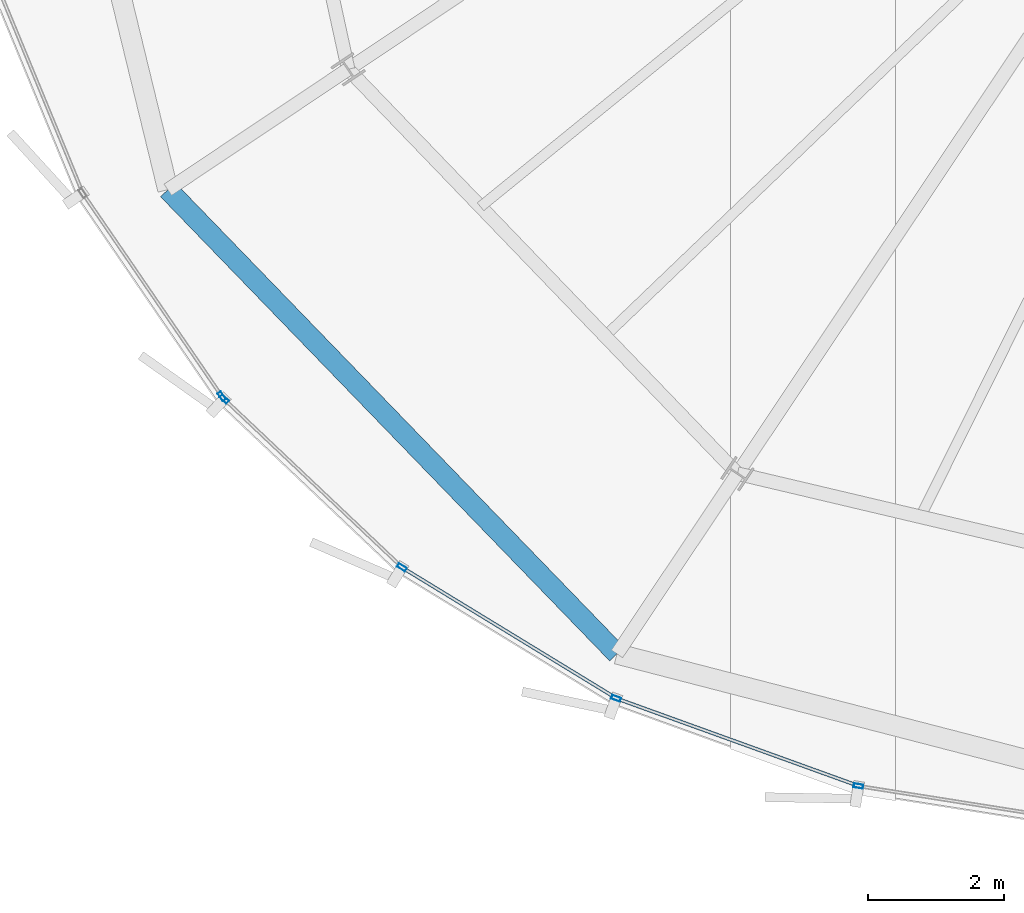
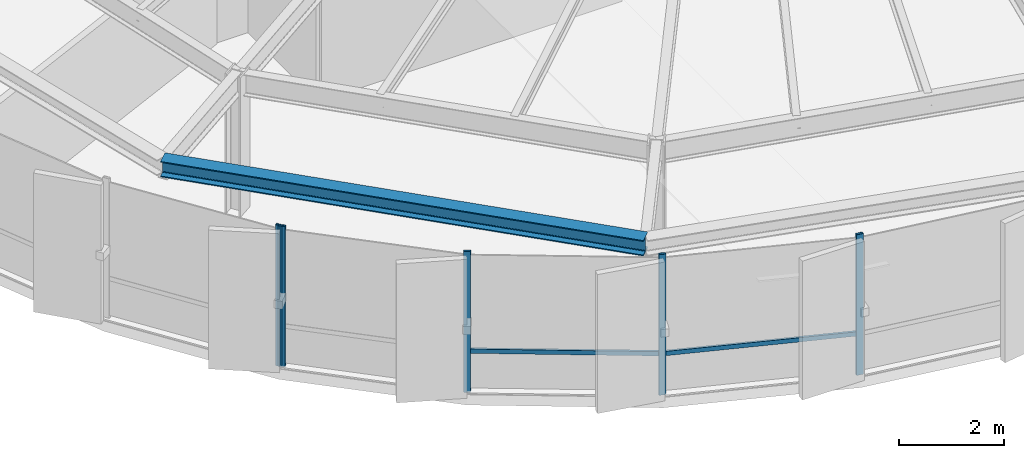
# One storey, part 2 of 36: 7 members, 1 beam, 2 elements without a shape of their own.
"""IFC4 building model written with IfcOpenShell, lengths in metres."""

import ifcopenshell
import ifcopenshell.guid

model = None  # the IFC model being written
_history = None  # IfcOwnerHistory: only IFC2X3 demands one
_inside = {}  # id of a spatial element -> (the spatial element, [elements in it])
_under = {}  # id of a project, library or spatial element -> (it, [spatial elements below it])
_declared = {}  # id of a project -> (the project, [libraries it declares])
_typed = {}  # id of a type object -> (the type object, [elements of that type])
_made_of = {}  # id of a material, layer set ... -> (it, [elements and type objects made of it])


def new_model(schema):
    """Start an empty IFC model of exactly this schema.

    Asked for "IFC4X3", IfcOpenShell would pick the latest addendum, in which some entities
    have other attributes; the version numbers below select the first issue.
    IFC2X3 requires an IfcOwnerHistory on every rooted entity: one is made here for all.
    """
    global model, _history
    if schema == "IFC4X3":
        model = ifcopenshell.file(schema_version=(4, 3, 0, 0))
    else:
        model = ifcopenshell.file(schema=schema)
    _inside.clear()
    _under.clear()
    _declared.clear()
    _typed.clear()
    _made_of.clear()
    _history = None
    if model.schema == "IFC2X3":
        org = make("IfcOrganization", Name="unknown")
        user = make(
            "IfcPersonAndOrganization",
            ThePerson=make("IfcPerson", FamilyName="unknown"),
            TheOrganization=org,
        )
        app = make(
            "IfcApplication",
            ApplicationDeveloper=org,
            Version="unknown",
            ApplicationFullName="unknown",
            ApplicationIdentifier="unknown",
        )
        _history = make(
            "IfcOwnerHistory",
            OwningUser=user,
            OwningApplication=app,
            ChangeAction="ADDED",
            CreationDate=0,
        )
    return model


def make(cls, **values):
    """One entity of the class cls with the attributes given. An attribute that is None is left unset."""
    return model.create_entity(
        cls, **{name: value for name, value in values.items() if value is not None}
    )


def rooted(cls, **values):
    """An entity with a GlobalId (a new one), such as an element, a storey or a relation."""
    return make(cls, GlobalId=ifcopenshell.guid.new(), OwnerHistory=_history, **values)


def si_unit(unit_type, name, prefix=None):
    """IfcSIUnit, for example si_unit("LENGTHUNIT", "METRE", prefix="MILLI")."""
    return make("IfcSIUnit", UnitType=unit_type, Prefix=prefix, Name=name)


def assignment(units):
    """IfcUnitAssignment: the units of a project."""
    return None if units is None else make("IfcUnitAssignment", Units=units)


def point(xyz):
    """IfcCartesianPoint."""
    return None if xyz is None else make("IfcCartesianPoint", Coordinates=xyz)


def direction(xyz):
    """IfcDirection."""
    return None if xyz is None else make("IfcDirection", DirectionRatios=xyz)


def frame(location, z_axis=None, x_axis=None):
    """IfcAxis2Placement3D, a coordinate frame: its origin and axes. An axis left out is left unset."""
    return make(
        "IfcAxis2Placement3D",
        Location=point(location),
        Axis=direction(z_axis),
        RefDirection=direction(x_axis),
    )


def frame_2d(location, x_axis=None):
    """IfcAxis2Placement2D, a coordinate frame in the plane: its origin and x axis."""
    return make(
        "IfcAxis2Placement2D", Location=point(location), RefDirection=direction(x_axis)
    )


def origin():
    """The frame at (0, 0, 0) with its axes left unset."""
    return frame((0.0, 0.0, 0.0))


def origin_2d():
    """The frame at (0, 0) in the plane with its x axis left unset."""
    return frame_2d((0.0, 0.0))


def place(relative_to, where):
    """IfcLocalPlacement: puts the frame where relative to a parent placement (None: the world)."""
    return make(
        "IfcLocalPlacement", PlacementRelTo=relative_to, RelativePlacement=where
    )


def context(
    kind, dimensions, precision=None, world=None, true_north=None, identifier=None
):
    """IfcGeometricRepresentationContext, for example the 3D "Model" context."""
    return make(
        "IfcGeometricRepresentationContext",
        ContextIdentifier=identifier,
        ContextType=kind,
        CoordinateSpaceDimension=dimensions,
        Precision=precision,
        WorldCoordinateSystem=world,
        TrueNorth=true_north,
    )


def subcontext(parent, identifier, kind, view, scale=None):
    """IfcGeometricRepresentationSubContext, for example "Body" below "Model"."""
    return make(
        "IfcGeometricRepresentationSubContext",
        ContextIdentifier=identifier,
        ContextType=kind,
        ParentContext=parent,
        TargetScale=scale,
        TargetView=view,
    )


def project(units=None, contexts=None):
    """IfcProject with its units and contexts."""
    return rooted(
        "IfcProject",
        Name="project",
        RepresentationContexts=contexts,
        UnitsInContext=assignment(units),
    )


def spatial(cls, under=None, at=None, **own):
    """A site, building, storey or space (cls), placed at a placement, below another one or the project."""
    s = rooted(cls, ObjectPlacement=at, **own)
    if under is not None:
        _under.setdefault(under.id(), (under, []))[1].append(s)
    return s


def profile(cls, at=None, kind="AREA", **sizes):
    """A parametric profile (cls). Its sizes go by their IFC names, for example OverallWidth=200.0."""
    return make(cls, ProfileType=kind, Position=at, **sizes)


def hollow_rectangle(**sizes):
    """IfcRectangleHollowProfileDef."""
    return profile("IfcRectangleHollowProfileDef", **sizes)


def i_section(**sizes):
    """IfcIShapeProfileDef."""
    return profile("IfcIShapeProfileDef", **sizes)


def extrude(swept, where, along, depth):
    """IfcExtrudedAreaSolid: the profile swept, set in the frame where, extruded along a direction by depth."""
    return make(
        "IfcExtrudedAreaSolid",
        SweptArea=swept,
        Position=where,
        ExtrudedDirection=direction(along),
        Depth=depth,
    )


def shape(context_of_items, identifier, shape_type, items):
    """IfcShapeRepresentation: the items that make up one representation, for example the "Body"."""
    return make(
        "IfcShapeRepresentation",
        ContextOfItems=context_of_items,
        RepresentationIdentifier=identifier,
        RepresentationType=shape_type,
        Items=items,
    )


def source(mapping_origin, context_of_items, identifier, shape_type, items):
    """IfcRepresentationMap: a shape defined once, which mapped items show again and again."""
    return make(
        "IfcRepresentationMap",
        MappingOrigin=mapping_origin,
        MappedRepresentation=shape(context_of_items, identifier, shape_type, items),
    )


def transform(
    local_origin,
    x_axis=None,
    y_axis=None,
    z_axis=None,
    scale=None,
    scale2=None,
    scale3=None,
    uniform=True,
):
    """IfcCartesianTransformationOperator3D, or its non-uniform kind. x_axis, y_axis, z_axis: its Axis1, 2, 3."""
    if uniform:
        return make(
            "IfcCartesianTransformationOperator3D",
            Axis1=direction(x_axis),
            Axis2=direction(y_axis),
            LocalOrigin=point(local_origin),
            Scale=scale,
            Axis3=direction(z_axis),
        )
    return make(
        "IfcCartesianTransformationOperator3DnonUniform",
        Axis1=direction(x_axis),
        Axis2=direction(y_axis),
        LocalOrigin=point(local_origin),
        Scale=scale,
        Axis3=direction(z_axis),
        Scale2=scale2,
        Scale3=scale3,
    )


def mapped(mapping_source, mapping_target):
    """IfcMappedItem: shows the shape of a source again, moved by a transform."""
    return make(
        "IfcMappedItem", MappingSource=mapping_source, MappingTarget=mapping_target
    )


def material(Name=None, Category=None):
    """IfcMaterial."""
    return make("IfcMaterial", Name=Name, Category=Category)


def layer(
    of_material, thickness, ventilated=None, Name=None, Category=None, Priority=None
):
    """IfcMaterialLayer: one layer of a wall or slab, of a material (None: an air gap)."""
    return make(
        "IfcMaterialLayer",
        Material=of_material,
        LayerThickness=thickness,
        IsVentilated=ventilated,
        Name=Name,
        Category=Category,
        Priority=Priority,
    )


def layer_set(layers, Name=None):
    """IfcMaterialLayerSet."""
    return make("IfcMaterialLayerSet", MaterialLayers=layers, LayerSetName=Name)


def material_profile(
    of_material, cross_section, Name=None, Category=None, Priority=None
):
    """IfcMaterialProfile: a cross section and its material."""
    return make(
        "IfcMaterialProfile",
        Name=Name,
        Material=of_material,
        Profile=cross_section,
        Priority=Priority,
        Category=Category,
    )


def profile_set(profiles, Name=None, composite=None):
    """IfcMaterialProfileSet."""
    return make(
        "IfcMaterialProfileSet",
        Name=Name,
        MaterialProfiles=profiles,
        CompositeProfile=composite,
    )


def made_of(thing, what):
    """Note that an element or type object is made of a material, layer set ...; save() writes the relation."""
    if what is not None:
        _made_of.setdefault(what.id(), (what, []))[1].append(thing)
    return thing


def type_object(cls, material=None, **own):
    """A type object (cls), such as IfcWallType, which elements share."""
    return made_of(rooted(cls, **own), material)


def element(
    cls,
    number,
    at=None,
    inside=None,
    cuts=None,
    type_object=None,
    material=None,
    context=None,
    identifier="Body",
    shape_type=None,
    held_by="IfcProductDefinitionShape",
    body=None,
    shapes=None,
    **own,
):
    """One element of the class cls, such as IfcWall. Its Tag is "e" and its number.

    at: its placement. inside: the storey or other place that contains it. cuts: it is an
    opening in that element (IfcRelVoidsElement). A single representation is given by context,
    identifier, shape_type and body (its items); several are given by shapes. held_by: the class
    of the entity that holds the representations. save() writes the other relations.
    """
    e = rooted(cls, Tag="e%d" % number, ObjectPlacement=at, **own)
    if body is not None:
        shapes = [shape(context, identifier, shape_type, body)]
    if shapes is not None:
        e.Representation = make(held_by, Representations=shapes)
    if inside is not None:
        _inside.setdefault(inside.id(), (inside, []))[1].append(e)
    if cuts is not None:
        rooted(
            "IfcRelVoidsElement", RelatingBuildingElement=cuts, RelatedOpeningElement=e
        )
    if type_object is not None:
        _typed.setdefault(type_object.id(), (type_object, []))[1].append(e)
    return made_of(e, material)


def aggregate(whole, parts):
    """IfcRelAggregates: a whole, such as a stair, and the parts it consists of."""
    return rooted("IfcRelAggregates", RelatingObject=whole, RelatedObjects=parts)


def save(model, path):
    """Write the relations noted so far, then the file.

    IfcRelAggregates (storeys below a building ...), IfcRelContainedInSpatialStructure (elements
    in a storey), IfcRelDefinesByType, IfcRelAssociatesMaterial and IfcRelDeclares: one each for
    every whole, place, type object, material and project.
    """
    for whole, parts in _under.values():
        aggregate(whole, parts)
    for where, things in _inside.values():
        rooted(
            "IfcRelContainedInSpatialStructure",
            RelatedElements=things,
            RelatingStructure=where,
        )
    for kind, things in _typed.values():
        rooted("IfcRelDefinesByType", RelatedObjects=things, RelatingType=kind)
    for what, things in _made_of.values():
        rooted("IfcRelAssociatesMaterial", RelatedObjects=things, RelatingMaterial=what)
    for by, libraries in _declared.values():
        rooted("IfcRelDeclares", RelatingContext=by, RelatedDefinitions=libraries)
    model.write(path)


model = new_model("IFC4")

# Units and contexts
model_context = context("Model", 3, precision=1e-05, world=origin(), true_north=direction((0.0, 1.0)))
body_context = subcontext(model_context, "Body", "Model", "MODEL_VIEW")
ifc_project = project(units=[si_unit("LENGTHUNIT", "METRE"), si_unit("AREAUNIT", "SQUARE_METRE"), si_unit("VOLUMEUNIT", "CUBIC_METRE"), si_unit("PLANEANGLEUNIT", "RADIAN"), si_unit("MASSUNIT", "GRAM", prefix="KILO"), si_unit("THERMODYNAMICTEMPERATUREUNIT", "KELVIN")], contexts=[model_context])

# Site, building, storey
site_placement = place(None, origin())
site = spatial("IfcSite", under=ifc_project, at=site_placement, CompositionType="ELEMENT")
building_placement = place(site_placement, origin())
building = spatial("IfcBuilding", under=site, at=building_placement, Name="Kethvar Cultural Tower", CompositionType="ELEMENT")
storey_placement = place(building_placement, frame((0.0, 0.0, 197.39990234375)))
storey = spatial("IfcBuildingStorey", under=building, at=storey_placement, Name="L51", CompositionType="ELEMENT", Elevation=197.39990234375)

# Beam
ifc_material_1 = material(Name="Steel S355J2", Category="steel")
ifc_material_profile_1 = material_profile(ifc_material_1, i_section(OverallWidth=0.300048828125, OverallDepth=0.360107421875, WebThickness=0.012451171875, FlangeThickness=0.0224609375, FilletRadius=0.027099609375, at=origin_2d()), Name="Steel S355J2 — HEB360")
ifc_profile_set_1 = profile_set([ifc_material_profile_1], Name="Steel S355J2 — HEB360")
beam_type = type_object("IfcBeamType", Name="BM-SP360", PredefinedType="SPANDREL", material=ifc_profile_set_1)
shared_shape_1 = source(origin(), body_context, "Body", "SweptSolid", [
    extrude(i_section(OverallWidth=0.300048828125, OverallDepth=0.360107421875, WebThickness=0.012451171875, FlangeThickness=0.0224609375, FilletRadius=0.027099609375, at=origin_2d()), origin(), (0.0, 0.0, 1.0), 9.531982421875),
])
beam_placement = place(storey_placement, frame((26.556884765625, 14.27392578125, 3.078125), z_axis=(0.695343772208, -0.71867728394, 0.0), x_axis=(0.71867728394, 0.695343772208, 0.0)))
element("IfcBeam", 1, at=beam_placement, inside=storey, type_object=beam_type, Name="L51 Perimeter Spandrel Beam SP-10", PredefinedType="SPANDREL", context=body_context, shape_type="MappedRepresentation", body=[
    mapped(shared_shape_1, transform((0.0, 0.0, 0.0), scale=1.0)),
])

# Curtain wall, member
ifc_material_2 = material(Name="Aluminium 6063-T6", Category="aluminium")
ifc_layer = layer(ifc_material_2, 0.179931640625, Name="Aluminium 6063-T6", Category="aluminium")
ifc_layer_set = layer_set([ifc_layer], Name="Aluminium 6063-T6 (180 mm)")
curtain_wall_type = type_object("IfcCurtainWallType", Name="CW-SYS-04-Z34", PredefinedType="NOTDEFINED", material=ifc_layer_set)
curtain_wall_1_placement = place(storey_placement, origin())
curtain_wall_1 = element("IfcCurtainWall", 2, at=curtain_wall_1_placement, inside=storey, type_object=curtain_wall_type, Name="L51 Curtain Wall Run 03", PredefinedType="NOTDEFINED")
ifc_material_profile_2 = material_profile(ifc_material_2, hollow_rectangle(XDim=0.06005859375, YDim=0.139892578125, WallThickness=0.0048828125, at=origin_2d()), Name="Aluminium 6063-T6 — RHS140x60x5")
ifc_profile_set_2 = profile_set([ifc_material_profile_2], Name="Aluminium 6063-T6 — RHS140x60x5")
member_type_1 = type_object("IfcMemberType", Name="CW-SYS-04-Z34-MUL", PredefinedType="MULLION", material=ifc_profile_set_2)
shared_shape_2 = source(origin(), body_context, "Body", "SweptSolid", [
    extrude(hollow_rectangle(XDim=0.06005859375, YDim=0.139892578125, WallThickness=0.0048828125, at=origin_2d()), origin(), (0.0, 0.0, 1.0), 3.260009765625),
])
member_1_placement = place(storey_placement, frame((27.352294921875, 11.225830078125, 0.0), z_axis=(0.0, 0.0, 1.0), x_axis=(0.825034605961, 0.565082205495, 0.0)))
member_1 = element("IfcMember", 3, at=member_1_placement, type_object=member_type_1, Name="CW-L51-R03 Mullion 7", PredefinedType="MULLION", context=body_context, shape_type="MappedRepresentation", body=[
    mapped(shared_shape_2, transform((0.0, 0.0, 0.0), scale=1.0)),
])
aggregate(curtain_wall_1, [member_1])

# Curtain wall, members
curtain_wall_2_placement = place(storey_placement, origin())
curtain_wall_2 = element("IfcCurtainWall", 4, at=curtain_wall_2_placement, inside=storey, type_object=curtain_wall_type, Name="L51 Curtain Wall Run 04", PredefinedType="NOTDEFINED")
member_2_placement = place(storey_placement, frame((27.3876953125, 11.1845703125, 0.0), z_axis=(0.0, 0.0, 1.0), x_axis=(0.687188953069, 0.726478728374, 0.0)))
member_2 = element("IfcMember", 5, at=member_2_placement, type_object=member_type_1, Name="CW-L51-R04 Mullion 1", PredefinedType="MULLION", context=body_context, shape_type="MappedRepresentation", body=[
    mapped(shared_shape_2, transform((0.0, 0.0, 0.0), scale=1.0)),
])
member_3_placement = place(storey_placement, frame((30.01025390625, 8.700439453125, 0.0), z_axis=(0.0, 0.0, 1.0), x_axis=(0.521009631841, 0.853550797275, 0.0)))
member_3 = element("IfcMember", 6, at=member_3_placement, type_object=member_type_1, Name="CW-L51-R04 Mullion 2", PredefinedType="MULLION", context=body_context, shape_type="MappedRepresentation", body=[
    mapped(shared_shape_2, transform((0.0, 0.0, 0.0), scale=1.0)),
])
member_4_placement = place(storey_placement, frame((33.171630859375, 6.768310546875, 0.0), z_axis=(0.0, 0.0, 1.0), x_axis=(0.339854341194, 0.940478084153, 0.0)))
member_4 = element("IfcMember", 7, at=member_4_placement, type_object=member_type_1, Name="CW-L51-R04 Mullion 3", PredefinedType="MULLION", context=body_context, shape_type="MappedRepresentation", body=[
    mapped(shared_shape_2, transform((0.0, 0.0, 0.0), scale=1.0)),
])
member_5_placement = place(storey_placement, frame((36.747802734375, 5.473876953125, 0.0), z_axis=(0.0, 0.0, 1.0), x_axis=(0.156382749585, 0.987696530131, 0.0)))
member_5 = element("IfcMember", 8, at=member_5_placement, type_object=member_type_1, Name="CW-L51-R04 Mullion 4", PredefinedType="MULLION", context=body_context, shape_type="MappedRepresentation", body=[
    mapped(shared_shape_2, transform((0.0, 0.0, 0.0), scale=1.0)),
])
ifc_material_profile_3 = material_profile(ifc_material_2, hollow_rectangle(XDim=0.050048828125, YDim=0.10009765625, WallThickness=0.00390625, at=origin_2d()), Name="Aluminium 6063-T6 — RHS100x50x4")
ifc_profile_set_3 = profile_set([ifc_material_profile_3], Name="Aluminium 6063-T6 — RHS100x50x4")
member_type_2 = type_object("IfcMemberType", Name="CW-SYS-04-Z34-TRN", PredefinedType="USERDEFINED", material=ifc_profile_set_3)
shared_shape_3 = source(origin(), body_context, "Body", "SweptSolid", [
    extrude(hollow_rectangle(XDim=0.050048828125, YDim=0.10009765625, WallThickness=0.00390625, at=origin_2d()), origin(), (0.0, 0.0, 1.0), 3.640625),
])
member_6_placement = place(storey_placement, frame((30.047119140625, 8.677978515625, 0.9501953125), z_axis=(0.853556892433, -0.520999646238, 0.0), x_axis=(0.520999646238, 0.853556892433, 0.0)))
member_6 = element("IfcMember", 9, at=member_6_placement, type_object=member_type_2, Name="CW-L51-R04 Transom 2", ObjectType="TRANSOM", PredefinedType="USERDEFINED", context=body_context, shape_type="MappedRepresentation", body=[
    mapped(shared_shape_3, transform((0.0, 0.0, 0.0), scale=1.0)),
])
shared_shape_4 = source(origin(), body_context, "Body", "SweptSolid", [
    extrude(hollow_rectangle(XDim=0.050048828125, YDim=0.10009765625, WallThickness=0.00390625, at=origin_2d()), origin(), (0.0, 0.0, 1.0), 3.737548828125),
])
member_7_placement = place(storey_placement, frame((33.212158203125, 6.753662109375, 0.9501953125), z_axis=(0.940476204586, -0.339859542469, 0.0), x_axis=(0.339859542469, 0.940476204586, 0.0)))
member_7 = element("IfcMember", 10, at=member_7_placement, type_object=member_type_2, Name="CW-L51-R04 Transom 3", ObjectType="TRANSOM", PredefinedType="USERDEFINED", context=body_context, shape_type="MappedRepresentation", body=[
    mapped(shared_shape_4, transform((0.0, 0.0, 0.0), scale=1.0)),
])
aggregate(curtain_wall_2, [member_2, member_3, member_4, member_5, member_6, member_7])

save(model, "model.ifc")
